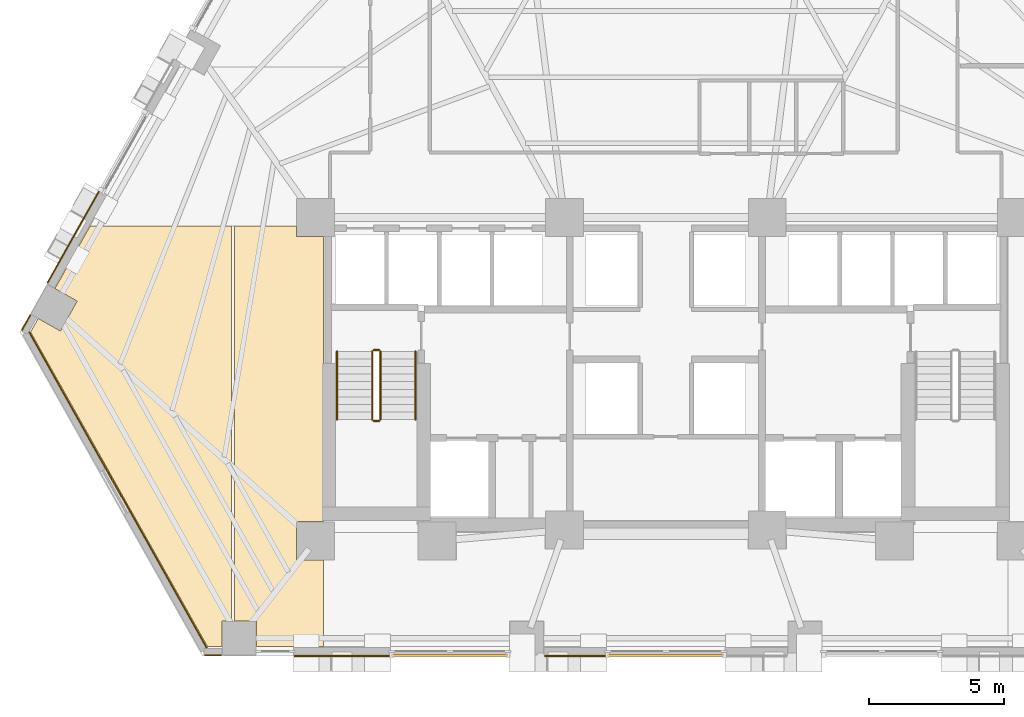
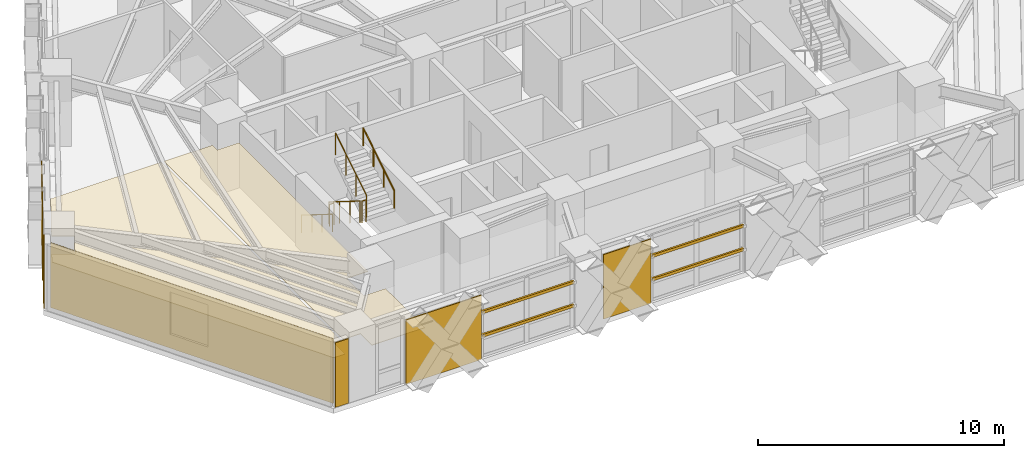
# One storey, part 10 of 13: 8 coverings, 6 railings, 4 shading devices.
"""IFC4 building model written with IfcOpenShell, lengths in metres."""

from ifc_helpers import new_model, si_unit, direction, frame, origin, origin_2d, place, context, subcontext, project, spatial, polyline, rectangle, circle, outline, extrude, material, layer, layer_set, material_profile, profile_set, type_object, element, save


model = new_model("IFC4")

# Units and contexts
model_context = context("Model", 3, precision=1e-05, world=origin(), true_north=direction((0.0, 1.0)))
body_context = subcontext(model_context, "Body", "Model", "MODEL_VIEW")
ifc_project = project(units=[si_unit("LENGTHUNIT", "METRE"), si_unit("AREAUNIT", "SQUARE_METRE"), si_unit("VOLUMEUNIT", "CUBIC_METRE"), si_unit("PLANEANGLEUNIT", "RADIAN"), si_unit("MASSUNIT", "GRAM", prefix="KILO")], contexts=[model_context])

# Site, building, storey
site_placement = place(None, origin())
site = spatial("IfcSite", under=ifc_project, at=site_placement, CompositionType="ELEMENT")
building_placement = place(site_placement, origin())
building = spatial("IfcBuilding", under=site, at=building_placement, Name="Quenlor Broadcast Tower", CompositionType="ELEMENT")
storey_placement = place(building_placement, frame((0.0, 0.0, 41.60009765625)))
storey = spatial("IfcBuildingStorey", under=building, at=storey_placement, Name="L10", CompositionType="ELEMENT", Elevation=41.60009765625)

# Coverings
ifc_material_1 = material(Name="Acoustic Mineral Fibre Board", Category="other")
ifc_layer_1 = layer(ifc_material_1, 0.02490234375)
ifc_layer_set_1 = layer_set([ifc_layer_1], Name="Acoustic Perforated Mineral Tile Ceiling 25")
covering_type_1 = type_object("IfcCoveringType", Name="Acoustic Perforated Mineral Tile Ceiling 25", PredefinedType="CEILING", material=ifc_layer_set_1)
covering_1_placement = place(storey_placement, frame((0.0, 0.0, 2.224853515625)))
element("IfcCovering", 1, at=covering_1_placement, inside=storey, type_object=covering_type_1, Name="L10 Acoustic Ceiling L10-37-3", PredefinedType="CEILING", context=body_context, shape_type="SweptSolid", body=[
    extrude(outline(polyline([(-13.657958984375, -5.508056640625), (-12.64990234375, -5.508056640625), (-12.64990234375, -16.0419921875), (-13.657958984375, -16.0419921875), (-13.657958984375, -17.4580078125), (-12.64990234375, -17.4580078125), (-12.64990234375, -20.659912109375), (-15.132080078125, -20.659912109375), (-15.132080078125, -19.717041015625), (-15.93994140625, -19.717041015625), (-15.93994140625, -5.1201171875), (-13.657958984375, -5.1201171875), (-13.657958984375, -5.508056640625)])), origin(), (0.0, 0.0, 1.0), 0.025146484375),
])
covering_2_placement = place(storey_placement, frame((0.0, 0.0, 2.224853515625)))
element("IfcCovering", 2, at=covering_2_placement, inside=storey, type_object=covering_type_1, Name="L10 Acoustic Ceiling L10-37-4", PredefinedType="CEILING", context=body_context, shape_type="SweptSolid", body=[
    extrude(outline(polyline([(-16.06005859375, -19.717041015625), (-16.398193359375, -19.717041015625), (-16.398193359375, -20.659912109375), (-16.937255859375, -20.659912109375), (-23.477783203125, -9.031982421875), (-23.196533203125, -8.531982421875), (-22.374755859375, -8.994140625), (-21.754150390625, -7.890625), (-22.575927734375, -7.428466796875), (-21.27734375, -5.1201171875), (-16.06005859375, -5.1201171875), (-16.06005859375, -19.717041015625)])), origin(), (0.0, 0.0, 1.0), 0.025146484375),
])

# Shading devices
ifc_material_2 = material(Name="Architectural Terracotta Ceramic", Category="masonry")
ifc_material_profile = material_profile(ifc_material_2, rectangle(XDim=0.090087890625, YDim=0.139892578125, at=origin_2d()))
ifc_profile_set = profile_set([ifc_material_profile], Name="Architectural Terracotta Ceramic BAG90x140")
shading_device_type = type_object("IfcShadingDeviceType", Name="Copper Terracotta Baguette Solar Screen 140", PredefinedType="USERDEFINED", material=ifc_profile_set)
for number, where, z_axis, x_axis, name in (
    (3, (-5.830810546875, -20.98291015625, 1.169921875), (-1.0, 0.0, 0.0), (0.0, -1.0, 0.0), "L10 Terracotta Baguette Screen 1"),
    (4, (-5.830810546875, -20.98291015625, 2.33984375), (-1.0, 0.0, 0.0), (0.0, -1.0, 0.0), "L10 Terracotta Baguette Screen 2"),
):
    element("IfcShadingDevice", number, at=place(storey_placement, frame(where, z_axis=z_axis, x_axis=x_axis)), inside=storey, type_object=shading_device_type, Name=name, ObjectType="BAGUETTE", PredefinedType="USERDEFINED", context=body_context, shape_type="SweptSolid", body=[
        extrude(rectangle(XDim=0.090087890625, YDim=0.139892578125, at=origin_2d()), origin(), (0.0, 0.0, 1.0), 4.303955078125),
    ])
for number, where, z_axis, x_axis, name in (
    (5, (2.154296875, -20.98291015625, 1.169921875), (-1.0, 0.0, 0.0), (0.0, -1.0, 0.0), "L10 Terracotta Baguette Screen 1"),
    (6, (2.154296875, -20.98291015625, 2.33984375), (-1.0, 0.0, 0.0), (0.0, -1.0, 0.0), "L10 Terracotta Baguette Screen 2"),
):
    element("IfcShadingDevice", number, at=place(storey_placement, frame(where, z_axis=z_axis, x_axis=x_axis)), inside=storey, type_object=shading_device_type, Name=name, ObjectType="BAGUETTE", PredefinedType="USERDEFINED", context=body_context, shape_type="SweptSolid", body=[
        extrude(rectangle(XDim=0.090087890625, YDim=0.139892578125, at=origin_2d()), origin(), (0.0, 0.0, 1.0), 4.30859375),
    ])

# Coverings
ifc_material_3 = material(Name="Architectural Terracotta Ceramic", Category="masonry")
ifc_layer_2 = layer(ifc_material_3, 0.044921875)
ifc_layer_set_2 = layer_set([ifc_layer_2], Name="Fluted Terracotta Rainscreen Cladding Panel")
covering_type_2 = type_object("IfcCoveringType", Name="Fluted Terracotta Rainscreen Cladding Panel", PredefinedType="CLADDING", material=ifc_layer_set_2)
covering_3_placement = place(storey_placement, frame((0.0, 0.0, 0.02001953125)))
element("IfcCovering", 7, at=covering_3_placement, inside=storey, type_object=covering_type_2, Name="L10 Terracotta Rainscreen Cladding L10-SHD-SS1", PredefinedType="CLADDING", context=body_context, shape_type="SweptSolid", body=[
    extrude(outline(polyline([(-16.425048828125, -20.951904296875), (-17.0458984375, -20.951904296875), (-17.0458984375, -20.9970703125), (-16.425048828125, -20.9970703125), (-16.425048828125, -20.951904296875)])), origin(), (0.0, 0.0, 1.0), 3.2099609375),
])
covering_4_placement = place(storey_placement, frame((0.0, 0.0, 0.02001953125)))
element("IfcCovering", 8, at=covering_4_placement, inside=storey, type_object=covering_type_2, Name="L10 Terracotta Rainscreen Cladding L10-SC-SP1", PredefinedType="CLADDING", context=body_context, shape_type="SweptSolid", body=[
    extrude(outline(polyline([(-10.20458984375, -20.98193359375), (-13.73681640625, -20.98193359375), (-13.73681640625, -21.027099609375), (-10.20458984375, -21.027099609375), (-10.20458984375, -20.98193359375)])), origin(), (0.0, 0.0, 1.0), 3.2099609375),
])
covering_5_placement = place(storey_placement, frame((0.0, 0.0, 0.02001953125)))
element("IfcCovering", 9, at=covering_5_placement, inside=storey, type_object=covering_type_2, Name="L10 Terracotta Rainscreen Cladding L10-S-SP2", PredefinedType="CLADDING", context=body_context, shape_type="SweptSolid", body=[
    extrude(outline(polyline([(-2.22412109375, -20.98193359375), (-4.4658203125, -20.98193359375), (-4.4658203125, -21.027099609375), (-2.22412109375, -21.027099609375), (-2.22412109375, -20.98193359375)])), origin(), (0.0, 0.0, 1.0), 3.2099609375),
])
covering_6_placement = place(storey_placement, frame((0.0, 0.0, 0.02001953125)))
element("IfcCovering", 10, at=covering_6_placement, inside=storey, type_object=covering_type_2, Name="L10 Terracotta Rainscreen Cladding L10-SHD-NWS0", PredefinedType="CLADDING", context=body_context, shape_type="SweptSolid", body=[
    extrude(outline(polyline([(-23.781982421875, -8.97705078125), (-23.464111328125, -8.412109375), (-23.50341796875, -8.39013671875), (-23.8212890625, -8.955078125), (-23.781982421875, -8.97705078125)])), origin(), (0.0, 0.0, 1.0), 3.2099609375),
])
covering_7_placement = place(storey_placement, frame((0.0, 0.0, 0.02001953125)))
element("IfcCovering", 11, at=covering_7_placement, inside=storey, type_object=covering_type_2, Name="L10 Terracotta Rainscreen Cladding L10-NWA-SP1", PredefinedType="CLADDING", context=body_context, shape_type="SweptSolid", body=[
    extrude(outline(polyline([(-22.83349609375, -7.2294921875), (-20.9228515625, -3.8330078125), (-20.962158203125, -3.81103515625), (-22.872802734375, -7.20751953125), (-22.83349609375, -7.2294921875)])), origin(), (0.0, 0.0, 1.0), 3.2099609375),
])
covering_8_placement = place(storey_placement, frame((0.0, 0.0, 0.02001953125)))
element("IfcCovering", 12, at=covering_8_placement, inside=storey, type_object=covering_type_2, Name="L10 Terracotta Rainscreen Cladding L10-CNR-04", PredefinedType="CLADDING", context=body_context, shape_type="SweptSolid", body=[
    extrude(outline(polyline([(-23.547607421875, -9.046875), (-16.98388671875, -20.71533203125), (-16.94482421875, -20.693359375), (-23.50830078125, -9.02490234375), (-23.547607421875, -9.046875)])), origin(), (0.0, 0.0, 1.0), 3.2099609375),
])

# Railings
ifc_material_4 = material(Name="Anodised Aluminium", Category="aluminium")
railing_type_1 = type_object("IfcRailingType", Name="Stainless Aluminium Wall Handrail 900", PredefinedType="HANDRAIL", material=ifc_material_4)
railing_1_placement = place(storey_placement, frame((-12.14990234375, -9.75, 0.1748046875)))
element("IfcRailing", 13, at=railing_1_placement, inside=storey, type_object=railing_type_1, Name="L10 ST-1 stair handrail 1", PredefinedType="HANDRAIL", context=body_context, shape_type="SweptSolid", body=[
    extrude(circle(Radius=0.02392578125, at=origin_2d()), frame((0.0, 0.0, 0.8759765625), z_axis=(0.0, -0.847970611238, 0.530043245855), x_axis=(1.0, 0.0, 0.0)), (0.0, 0.0, 1.0), 2.971923828125),
    extrude(circle(Radius=0.02099609375, at=origin_2d()), origin(), (0.0, 0.0, 1.0), 0.851806640625),
    extrude(circle(Radius=0.02099609375, at=origin_2d()), frame((0.0, -0.840087890625, 0.525146484375)), (0.0, 0.0, 1.0), 0.851806640625),
    extrude(circle(Radius=0.02099609375, at=origin_2d()), frame((0.0, -1.679931640625, 1.050048828125)), (0.0, 0.0, 1.0), 0.851806640625),
    extrude(circle(Radius=0.02099609375, at=origin_2d()), frame((0.0, -2.52001953125, 1.5751953125)), (0.0, 0.0, 1.0), 0.851806640625),
])
railing_2_placement = place(storey_placement, frame((-9.25, -12.27001953125, 1.9248046875)))
element("IfcRailing", 14, at=railing_2_placement, inside=storey, type_object=railing_type_1, Name="L10 ST-1 stair handrail 2", PredefinedType="HANDRAIL", context=body_context, shape_type="SweptSolid", body=[
    extrude(circle(Radius=0.02392578125, at=origin_2d()), frame((0.0, 0.0, 0.8759765625), z_axis=(0.0, 0.847970611238, 0.530043245855), x_axis=(-1.0, 0.0, 0.0)), (0.0, 0.0, 1.0), 2.971923828125),
    extrude(circle(Radius=0.02099609375, at=origin_2d()), origin(), (0.0, 0.0, 1.0), 0.851806640625),
    extrude(circle(Radius=0.02099609375, at=origin_2d()), frame((0.0, 0.840087890625, 0.525146484375)), (0.0, 0.0, 1.0), 0.851806640625),
    extrude(circle(Radius=0.02099609375, at=origin_2d()), frame((0.0, 1.679931640625, 1.050048828125)), (0.0, 0.0, 1.0), 0.851806640625),
    extrude(circle(Radius=0.02099609375, at=origin_2d()), frame((0.0, 2.52001953125, 1.5751953125)), (0.0, 0.0, 1.0), 0.851806640625),
])
ifc_material_5 = material(Name="Steel S355", Category="steel")
railing_type_2 = type_object("IfcRailingType", Name="Tubular Steel S355 Stair Guardrail 1100", PredefinedType="BALUSTRADE", material=ifc_material_5)
railing_3_placement = place(storey_placement, frame((-10.85009765625, -9.75, 0.1748046875)))
element("IfcRailing", 15, at=railing_3_placement, inside=storey, type_object=railing_type_2, Name="L10 ST-1 stair guard 1", PredefinedType="BALUSTRADE", context=body_context, shape_type="SweptSolid", body=[
    extrude(circle(Radius=0.02392578125, at=origin_2d()), frame((0.0, 0.0, 1.076171875), z_axis=(0.0, -0.847970611238, 0.530043245855), x_axis=(1.0, 0.0, 0.0)), (0.0, 0.0, 1.0), 2.971923828125),
    extrude(circle(Radius=0.02099609375, at=origin_2d()), origin(), (0.0, 0.0, 1.0), 1.052001953125),
    extrude(circle(Radius=0.02099609375, at=origin_2d()), frame((0.0, -0.840087890625, 0.525146484375)), (0.0, 0.0, 1.0), 1.052001953125),
    extrude(circle(Radius=0.02099609375, at=origin_2d()), frame((0.0, -1.679931640625, 1.050048828125)), (0.0, 0.0, 1.0), 1.052001953125),
    extrude(circle(Radius=0.02099609375, at=origin_2d()), frame((0.0, -2.52001953125, 1.5751953125)), (0.0, 0.0, 1.0), 1.052001953125),
])
railing_4_placement = place(storey_placement, frame((-10.800048828125, -12.320068359375, 1.75)))
element("IfcRailing", 16, at=railing_4_placement, inside=storey, type_object=railing_type_2, Name="L10 ST-1 stair guard 2", PredefinedType="BALUSTRADE", context=body_context, shape_type="SweptSolid", body=[
    extrude(circle(Radius=0.02392578125, at=origin_2d()), frame((0.0, 0.0, 1.076171875), z_axis=(1.0, 0.0, 0.0), x_axis=(0.0, 1.0, 0.0)), (0.0, 0.0, 1.0), 0.199951171875),
    extrude(circle(Radius=0.02099609375, at=origin_2d()), origin(), (0.0, 0.0, 1.0), 1.052001953125),
    extrude(circle(Radius=0.02099609375, at=origin_2d()), frame((0.199951171875, 0.0, 0.0)), (0.0, 0.0, 1.0), 1.052001953125),
])
railing_5_placement = place(storey_placement, frame((-10.550048828125, -12.27001953125, 1.9248046875)))
element("IfcRailing", 17, at=railing_5_placement, inside=storey, type_object=railing_type_2, Name="L10 ST-1 stair guard 3", PredefinedType="BALUSTRADE", context=body_context, shape_type="SweptSolid", body=[
    extrude(circle(Radius=0.02392578125, at=origin_2d()), frame((0.0, 0.0, 1.076171875), z_axis=(0.0, 0.847970611238, 0.530043245855), x_axis=(-1.0, 0.0, 0.0)), (0.0, 0.0, 1.0), 2.971923828125),
    extrude(circle(Radius=0.02099609375, at=origin_2d()), origin(), (0.0, 0.0, 1.0), 1.052001953125),
    extrude(circle(Radius=0.02099609375, at=origin_2d()), frame((0.0, 0.840087890625, 0.525146484375)), (0.0, 0.0, 1.0), 1.052001953125),
    extrude(circle(Radius=0.02099609375, at=origin_2d()), frame((0.0, 1.679931640625, 1.050048828125)), (0.0, 0.0, 1.0), 1.052001953125),
    extrude(circle(Radius=0.02099609375, at=origin_2d()), frame((0.0, 2.52001953125, 1.5751953125)), (0.0, 0.0, 1.0), 1.052001953125),
])
railing_6_placement = place(storey_placement, frame((-10.800048828125, -9.699951171875, 0.0)))
element("IfcRailing", 18, at=railing_6_placement, inside=storey, type_object=railing_type_2, Name="L10 ST-1 stair guard 4", PredefinedType="BALUSTRADE", context=body_context, shape_type="SweptSolid", body=[
    extrude(circle(Radius=0.02392578125, at=origin_2d()), frame((0.0, 0.0, 1.076171875), z_axis=(1.0, 0.0, 0.0), x_axis=(0.0, 1.0, 0.0)), (0.0, 0.0, 1.0), 0.199951171875),
    extrude(circle(Radius=0.02099609375, at=origin_2d()), origin(), (0.0, 0.0, 1.0), 1.052001953125),
    extrude(circle(Radius=0.02099609375, at=origin_2d()), frame((0.199951171875, 0.0, 0.0)), (0.0, 0.0, 1.0), 1.052001953125),
])

save(model, "model.ifc")
